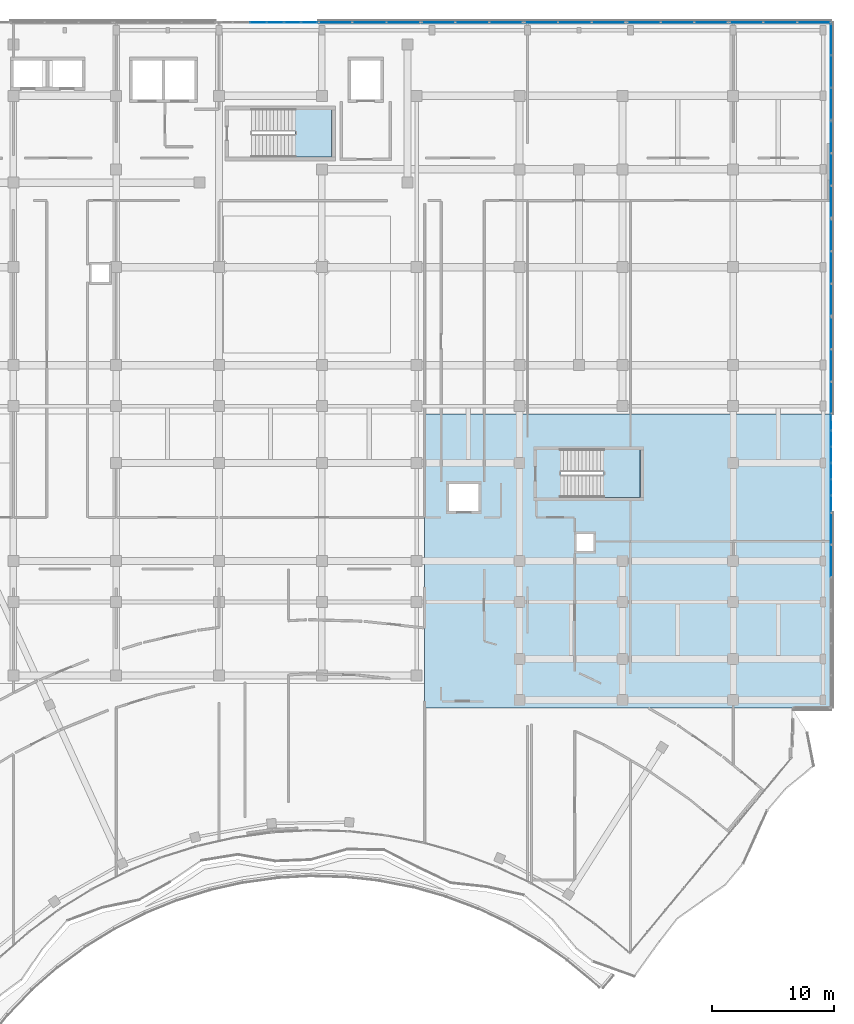
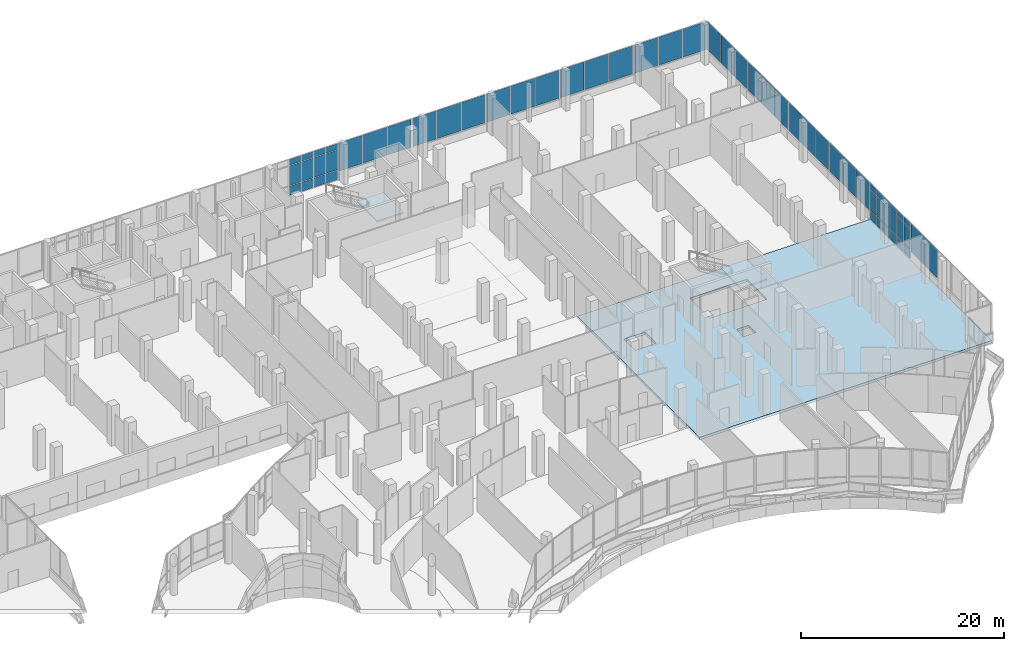
# One storey, part 137 of 168: 59 plates, 3 slabs, 14 elements without a shape of their own.
"""IFC4 building model written with IfcOpenShell, lengths in metres."""

from ifc_helpers import new_model, si_unit, direction, frame, origin, origin_2d, place, context, subcontext, project, spatial, polyline, rectangle, outline, extrude, material, layer, layer_set, type_object, element, aggregate, save


model = new_model("IFC4")

# Units and contexts
model_context = context("Model", 3, precision=1e-05, world=origin(), true_north=direction((0.0, 1.0)))
body_context = subcontext(model_context, "Body", "Model", "MODEL_VIEW")
ifc_project = project(units=[si_unit("LENGTHUNIT", "METRE"), si_unit("AREAUNIT", "SQUARE_METRE"), si_unit("VOLUMEUNIT", "CUBIC_METRE"), si_unit("PLANEANGLEUNIT", "RADIAN"), si_unit("MASSUNIT", "GRAM", prefix="KILO")], contexts=[model_context])

# Site, building, storey
site_placement = place(None, origin())
site = spatial("IfcSite", under=ifc_project, at=site_placement, CompositionType="ELEMENT")
building_placement = place(site_placement, origin())
building = spatial("IfcBuilding", under=site, at=building_placement, Name="Selatvlak General Hospital", CompositionType="ELEMENT")
storey_placement = place(building_placement, frame((0.0, 0.0, 5.39990234375)))
storey = spatial("IfcBuildingStorey", under=building, at=storey_placement, Name="L01", CompositionType="ELEMENT", Elevation=5.39990234375)

# Curtain wall, plates
ifc_material_1 = material(Name="Solar-control Low-E double glazing", Category="glass")
curtain_wall_type_1 = type_object("IfcCurtainWallType", Name="CW-CW-04", PredefinedType="USERDEFINED", material=ifc_material_1)
curtain_wall_1_placement = place(storey_placement, origin())
curtain_wall_1 = element("IfcCurtainWall", 1, at=curtain_wall_1_placement, inside=storey, type_object=curtain_wall_type_1, Name="Glazed facade curtain wall CW-L01-0126", ObjectType="STICK GLAZING WALL", PredefinedType="USERDEFINED")
ifc_layer_1 = layer(ifc_material_1, 0.028076171875, Name="Solar-control Low-E double glazing", Category="glass")
ifc_layer_set_1 = layer_set([ifc_layer_1], Name="Solar-control Low-E double glazing")
plate_type = type_object("IfcPlateType", Name="CWP-01", PredefinedType="CURTAIN_PANEL", material=ifc_layer_set_1)
plate_1_placement = place(storey_placement, frame((135.213134765625, 120.0, 0.065185546875), z_axis=(0.0, 0.0, 1.0), x_axis=(1.0, 0.0, 0.0)))
plate_1 = element("IfcPlate", 2, at=plate_1_placement, type_object=plate_type, Name="CW-04 panel 3.1", PredefinedType="CURTAIN_PANEL", context=body_context, shape_type="SweptSolid", body=[
    extrude(rectangle(XDim=1.32666015625, YDim=0.028076171875, at=origin_2d()), origin(), (0.0, 0.0, 1.0), 1.1025390625),
])
plate_2_placement = place(storey_placement, frame((135.213134765625, 120.0, 1.232666015625), z_axis=(0.0, 0.0, 1.0), x_axis=(1.0, 0.0, 0.0)))
plate_2 = element("IfcPlate", 3, at=plate_2_placement, type_object=plate_type, Name="CW-04 panel 3.2", PredefinedType="CURTAIN_PANEL", context=body_context, shape_type="SweptSolid", body=[
    extrude(rectangle(XDim=1.32666015625, YDim=0.028076171875, at=origin_2d()), origin(), (0.0, 0.0, 1.0), 2.3798828125),
])
plate_3_placement = place(storey_placement, frame((135.213134765625, 120.0, 3.677734375), z_axis=(0.0, 0.0, 1.0), x_axis=(1.0, 0.0, 0.0)))
plate_3 = element("IfcPlate", 4, at=plate_3_placement, type_object=plate_type, Name="CW-04 panel 3.3", PredefinedType="CURTAIN_PANEL", context=body_context, shape_type="SweptSolid", body=[
    extrude(rectangle(XDim=1.32666015625, YDim=0.028076171875, at=origin_2d()), origin(), (0.0, 0.0, 1.0), 0.702392578125),
])
plate_4_placement = place(storey_placement, frame((136.604736328125, 120.0, 0.065185546875), z_axis=(0.0, 0.0, 1.0), x_axis=(1.0, 0.0, 0.0)))
plate_4 = element("IfcPlate", 5, at=plate_4_placement, type_object=plate_type, Name="CW-04 panel 4.1", PredefinedType="CURTAIN_PANEL", context=body_context, shape_type="SweptSolid", body=[
    extrude(rectangle(XDim=1.32666015625, YDim=0.028076171875, at=origin_2d()), origin(), (0.0, 0.0, 1.0), 1.1025390625),
])
plate_5_placement = place(storey_placement, frame((136.604736328125, 120.0, 1.232666015625), z_axis=(0.0, 0.0, 1.0), x_axis=(1.0, 0.0, 0.0)))
plate_5 = element("IfcPlate", 6, at=plate_5_placement, type_object=plate_type, Name="CW-04 panel 4.2", PredefinedType="CURTAIN_PANEL", context=body_context, shape_type="SweptSolid", body=[
    extrude(rectangle(XDim=1.32666015625, YDim=0.028076171875, at=origin_2d()), origin(), (0.0, 0.0, 1.0), 2.3798828125),
])
plate_6_placement = place(storey_placement, frame((136.604736328125, 120.0, 3.677734375), z_axis=(0.0, 0.0, 1.0), x_axis=(1.0, 0.0, 0.0)))
plate_6 = element("IfcPlate", 7, at=plate_6_placement, type_object=plate_type, Name="CW-04 panel 4.3", PredefinedType="CURTAIN_PANEL", context=body_context, shape_type="SweptSolid", body=[
    extrude(rectangle(XDim=1.32666015625, YDim=0.028076171875, at=origin_2d()), origin(), (0.0, 0.0, 1.0), 0.702392578125),
])
plate_7_placement = place(storey_placement, frame((137.99658203125, 120.0, 0.065185546875), z_axis=(0.0, 0.0, 1.0), x_axis=(1.0, 0.0, 0.0)))
plate_7 = element("IfcPlate", 8, at=plate_7_placement, type_object=plate_type, Name="CW-04 panel 5.1", PredefinedType="CURTAIN_PANEL", context=body_context, shape_type="SweptSolid", body=[
    extrude(rectangle(XDim=1.32666015625, YDim=0.028076171875, at=origin_2d()), origin(), (0.0, 0.0, 1.0), 1.1025390625),
])
plate_8_placement = place(storey_placement, frame((137.99658203125, 120.0, 1.232666015625), z_axis=(0.0, 0.0, 1.0), x_axis=(1.0, 0.0, 0.0)))
plate_8 = element("IfcPlate", 9, at=plate_8_placement, type_object=plate_type, Name="CW-04 panel 5.2", PredefinedType="CURTAIN_PANEL", context=body_context, shape_type="SweptSolid", body=[
    extrude(rectangle(XDim=1.32666015625, YDim=0.028076171875, at=origin_2d()), origin(), (0.0, 0.0, 1.0), 2.3798828125),
])
plate_9_placement = place(storey_placement, frame((137.99658203125, 120.0, 3.677734375), z_axis=(0.0, 0.0, 1.0), x_axis=(1.0, 0.0, 0.0)))
plate_9 = element("IfcPlate", 10, at=plate_9_placement, type_object=plate_type, Name="CW-04 panel 5.3", PredefinedType="CURTAIN_PANEL", context=body_context, shape_type="SweptSolid", body=[
    extrude(rectangle(XDim=1.32666015625, YDim=0.028076171875, at=origin_2d()), origin(), (0.0, 0.0, 1.0), 0.702392578125),
])
plate_10_placement = place(storey_placement, frame((139.371826171875, 120.0, 0.065185546875), z_axis=(0.0, 0.0, 1.0), x_axis=(1.0, 0.0, 0.0)))
plate_10 = element("IfcPlate", 11, at=plate_10_placement, type_object=plate_type, Name="CW-04 panel 6.1", PredefinedType="CURTAIN_PANEL", context=body_context, shape_type="SweptSolid", body=[
    extrude(rectangle(XDim=1.294189453125, YDim=0.028076171875, at=origin_2d()), origin(), (0.0, 0.0, 1.0), 1.1025390625),
])
plate_11_placement = place(storey_placement, frame((139.371826171875, 120.0, 1.232666015625), z_axis=(0.0, 0.0, 1.0), x_axis=(1.0, 0.0, 0.0)))
plate_11 = element("IfcPlate", 12, at=plate_11_placement, type_object=plate_type, Name="CW-04 panel 6.2", PredefinedType="CURTAIN_PANEL", context=body_context, shape_type="SweptSolid", body=[
    extrude(rectangle(XDim=1.294189453125, YDim=0.028076171875, at=origin_2d()), origin(), (0.0, 0.0, 1.0), 2.3798828125),
])
plate_12_placement = place(storey_placement, frame((139.371826171875, 120.0, 3.677734375), z_axis=(0.0, 0.0, 1.0), x_axis=(1.0, 0.0, 0.0)))
plate_12 = element("IfcPlate", 13, at=plate_12_placement, type_object=plate_type, Name="CW-04 panel 6.3", PredefinedType="CURTAIN_PANEL", context=body_context, shape_type="SweptSolid", body=[
    extrude(rectangle(XDim=1.294189453125, YDim=0.028076171875, at=origin_2d()), origin(), (0.0, 0.0, 1.0), 0.702392578125),
])
aggregate(curtain_wall_1, [plate_1, plate_2, plate_3, plate_4, plate_5, plate_6, plate_7, plate_8, plate_9, plate_10, plate_11, plate_12])

curtain_wall_type_2 = type_object("IfcCurtainWallType", Name="CW-CW-02", PredefinedType="USERDEFINED", material=ifc_material_1)
curtain_wall_2_placement = place(storey_placement, origin())
curtain_wall_2 = element("IfcCurtainWall", 14, at=curtain_wall_2_placement, inside=storey, type_object=curtain_wall_type_2, Name="Glazed facade curtain wall CW-L01-0127", ObjectType="UNITISED CURTAIN WALL", PredefinedType="USERDEFINED")
plate_13_placement = place(storey_placement, frame((141.52197265625, 120.0, 1.005126953125), z_axis=(0.0, 0.0, 1.0), x_axis=(1.0, 0.0, 0.0)))
plate_13 = element("IfcPlate", 15, at=plate_13_placement, type_object=plate_type, Name="CW-02 panel 1.1", PredefinedType="CURTAIN_PANEL", context=body_context, shape_type="SweptSolid", body=[
    extrude(rectangle(XDim=2.685791015625, YDim=0.028076171875, at=origin_2d()), origin(), (0.0, 0.0, 1.0), 3.375),
])
plate_14_placement = place(storey_placement, frame((144.2890625, 120.0, 1.005126953125), z_axis=(0.0, 0.0, 1.0), x_axis=(1.0, 0.0, 0.0)))
plate_14 = element("IfcPlate", 16, at=plate_14_placement, type_object=plate_type, Name="CW-02 panel 2.1", PredefinedType="CURTAIN_PANEL", context=body_context, shape_type="SweptSolid", body=[
    extrude(rectangle(XDim=2.71826171875, YDim=0.028076171875, at=origin_2d()), origin(), (0.0, 0.0, 1.0), 3.375),
])
plate_15_placement = place(storey_placement, frame((147.05615234375, 120.0, 1.005126953125), z_axis=(0.0, 0.0, 1.0), x_axis=(1.0, 0.0, 0.0)))
plate_15 = element("IfcPlate", 17, at=plate_15_placement, type_object=plate_type, Name="CW-02 panel 3.1", PredefinedType="CURTAIN_PANEL", context=body_context, shape_type="SweptSolid", body=[
    extrude(rectangle(XDim=2.685791015625, YDim=0.028076171875, at=origin_2d()), origin(), (0.0, 0.0, 1.0), 3.375),
])
aggregate(curtain_wall_2, [plate_13, plate_14, plate_15])

curtain_wall_type_3 = type_object("IfcCurtainWallType", Name="CW-CW-01", PredefinedType="USERDEFINED", material=ifc_material_1)
curtain_wall_3_placement = place(storey_placement, origin())
curtain_wall_3 = element("IfcCurtainWall", 18, at=curtain_wall_3_placement, inside=storey, type_object=curtain_wall_type_3, Name="Glazed facade curtain wall CW-L01-0128", ObjectType="UNITISED CURTAIN WALL", PredefinedType="USERDEFINED")
plate_16_placement = place(storey_placement, frame((149.943603515625, 120.0, 1.005126953125), z_axis=(0.0, 0.0, 1.0), x_axis=(1.0, 0.0, 0.0)))
plate_16 = element("IfcPlate", 19, at=plate_16_placement, type_object=plate_type, Name="CW-01 panel 1.1", PredefinedType="CURTAIN_PANEL", context=body_context, shape_type="SweptSolid", body=[
    extrude(rectangle(XDim=2.669189453125, YDim=0.028076171875, at=origin_2d()), origin(), (0.0, 0.0, 1.0), 3.375),
])
plate_17_placement = place(storey_placement, frame((152.694091796875, 120.0, 1.005126953125), z_axis=(0.0, 0.0, 1.0), x_axis=(1.0, 0.0, 0.0)))
plate_17 = element("IfcPlate", 20, at=plate_17_placement, type_object=plate_type, Name="CW-01 panel 2.1", PredefinedType="CURTAIN_PANEL", context=body_context, shape_type="SweptSolid", body=[
    extrude(rectangle(XDim=2.70166015625, YDim=0.028076171875, at=origin_2d()), origin(), (0.0, 0.0, 1.0), 3.375),
])
plate_18_placement = place(storey_placement, frame((155.4443359375, 120.0, 1.005126953125), z_axis=(0.0, 0.0, 1.0), x_axis=(1.0, 0.0, 0.0)))
plate_18 = element("IfcPlate", 21, at=plate_18_placement, type_object=plate_type, Name="CW-01 panel 3.1", PredefinedType="CURTAIN_PANEL", context=body_context, shape_type="SweptSolid", body=[
    extrude(rectangle(XDim=2.669189453125, YDim=0.028076171875, at=origin_2d()), origin(), (0.0, 0.0, 1.0), 3.375),
])
aggregate(curtain_wall_3, [plate_16, plate_17, plate_18])

curtain_wall_4_placement = place(storey_placement, origin())
curtain_wall_4 = element("IfcCurtainWall", 22, at=curtain_wall_4_placement, inside=storey, type_object=curtain_wall_type_2, Name="Glazed facade curtain wall CW-L01-0129", ObjectType="UNITISED CURTAIN WALL", PredefinedType="USERDEFINED")
plate_19_placement = place(storey_placement, frame((158.323486328125, 120.0, 1.005126953125), z_axis=(0.0, 0.0, 1.0), x_axis=(1.0, 0.0, 0.0)))
plate_19 = element("IfcPlate", 23, at=plate_19_placement, type_object=plate_type, Name="CW-02 panel 1.1", PredefinedType="CURTAIN_PANEL", context=body_context, shape_type="SweptSolid", body=[
    extrude(rectangle(XDim=2.669189453125, YDim=0.028076171875, at=origin_2d()), origin(), (0.0, 0.0, 1.0), 3.375),
])
plate_20_placement = place(storey_placement, frame((161.073974609375, 120.0, 1.005126953125), z_axis=(0.0, 0.0, 1.0), x_axis=(1.0, 0.0, 0.0)))
plate_20 = element("IfcPlate", 24, at=plate_20_placement, type_object=plate_type, Name="CW-02 panel 2.1", PredefinedType="CURTAIN_PANEL", context=body_context, shape_type="SweptSolid", body=[
    extrude(rectangle(XDim=2.70166015625, YDim=0.028076171875, at=origin_2d()), origin(), (0.0, 0.0, 1.0), 3.375),
])
plate_21_placement = place(storey_placement, frame((163.824462890625, 120.0, 1.005126953125), z_axis=(0.0, 0.0, 1.0), x_axis=(1.0, 0.0, 0.0)))
plate_21 = element("IfcPlate", 25, at=plate_21_placement, type_object=plate_type, Name="CW-02 panel 3.1", PredefinedType="CURTAIN_PANEL", context=body_context, shape_type="SweptSolid", body=[
    extrude(rectangle(XDim=2.669189453125, YDim=0.028076171875, at=origin_2d()), origin(), (0.0, 0.0, 1.0), 3.375),
])
aggregate(curtain_wall_4, [plate_19, plate_20, plate_21])

curtain_wall_5_placement = place(storey_placement, origin())
curtain_wall_5 = element("IfcCurtainWall", 26, at=curtain_wall_5_placement, inside=storey, type_object=curtain_wall_type_3, Name="Glazed facade curtain wall CW-L01-0130", ObjectType="UNITISED CURTAIN WALL", PredefinedType="USERDEFINED")
plate_22_placement = place(storey_placement, frame((166.70361328125, 120.0, 1.005126953125), z_axis=(0.0, 0.0, 1.0), x_axis=(1.0, 0.0, 0.0)))
plate_22 = element("IfcPlate", 27, at=plate_22_placement, type_object=plate_type, Name="CW-01 panel 1.1", PredefinedType="CURTAIN_PANEL", context=body_context, shape_type="SweptSolid", body=[
    extrude(rectangle(XDim=2.669189453125, YDim=0.028076171875, at=origin_2d()), origin(), (0.0, 0.0, 1.0), 3.375),
])
plate_23_placement = place(storey_placement, frame((169.4541015625, 120.0, 1.005126953125), z_axis=(0.0, 0.0, 1.0), x_axis=(1.0, 0.0, 0.0)))
plate_23 = element("IfcPlate", 28, at=plate_23_placement, type_object=plate_type, Name="CW-01 panel 2.1", PredefinedType="CURTAIN_PANEL", context=body_context, shape_type="SweptSolid", body=[
    extrude(rectangle(XDim=2.70166015625, YDim=0.028076171875, at=origin_2d()), origin(), (0.0, 0.0, 1.0), 3.375),
])
plate_24_placement = place(storey_placement, frame((172.204345703125, 120.0, 1.005126953125), z_axis=(0.0, 0.0, 1.0), x_axis=(1.0, 0.0, 0.0)))
plate_24 = element("IfcPlate", 29, at=plate_24_placement, type_object=plate_type, Name="CW-01 panel 3.1", PredefinedType="CURTAIN_PANEL", context=body_context, shape_type="SweptSolid", body=[
    extrude(rectangle(XDim=2.669189453125, YDim=0.028076171875, at=origin_2d()), origin(), (0.0, 0.0, 1.0), 3.375),
])
aggregate(curtain_wall_5, [plate_22, plate_23, plate_24])

curtain_wall_6_placement = place(storey_placement, origin())
curtain_wall_6 = element("IfcCurtainWall", 30, at=curtain_wall_6_placement, inside=storey, type_object=curtain_wall_type_2, Name="Glazed facade curtain wall CW-L01-0131", ObjectType="UNITISED CURTAIN WALL", PredefinedType="USERDEFINED")
plate_25_placement = place(storey_placement, frame((175.08349609375, 120.0, 1.005126953125), z_axis=(0.0, 0.0, 1.0), x_axis=(1.0, 0.0, 0.0)))
plate_25 = element("IfcPlate", 31, at=plate_25_placement, type_object=plate_type, Name="CW-02 panel 1.1", PredefinedType="CURTAIN_PANEL", context=body_context, shape_type="SweptSolid", body=[
    extrude(rectangle(XDim=2.669189453125, YDim=0.028076171875, at=origin_2d()), origin(), (0.0, 0.0, 1.0), 3.375),
])
plate_26_placement = place(storey_placement, frame((177.833984375, 120.0, 1.005126953125), z_axis=(0.0, 0.0, 1.0), x_axis=(1.0, 0.0, 0.0)))
plate_26 = element("IfcPlate", 32, at=plate_26_placement, type_object=plate_type, Name="CW-02 panel 2.1", PredefinedType="CURTAIN_PANEL", context=body_context, shape_type="SweptSolid", body=[
    extrude(rectangle(XDim=2.70166015625, YDim=0.028076171875, at=origin_2d()), origin(), (0.0, 0.0, 1.0), 3.375),
])
plate_27_placement = place(storey_placement, frame((180.58447265625, 120.0, 1.005126953125), z_axis=(0.0, 0.0, 1.0), x_axis=(1.0, 0.0, 0.0)))
plate_27 = element("IfcPlate", 33, at=plate_27_placement, type_object=plate_type, Name="CW-02 panel 3.1", PredefinedType="CURTAIN_PANEL", context=body_context, shape_type="SweptSolid", body=[
    extrude(rectangle(XDim=2.669189453125, YDim=0.028076171875, at=origin_2d()), origin(), (0.0, 0.0, 1.0), 3.375),
])
aggregate(curtain_wall_6, [plate_25, plate_26, plate_27])

curtain_wall_7_placement = place(storey_placement, origin())
curtain_wall_7 = element("IfcCurtainWall", 34, at=curtain_wall_7_placement, inside=storey, type_object=curtain_wall_type_3, Name="Glazed facade curtain wall CW-L01-0132", ObjectType="UNITISED CURTAIN WALL", PredefinedType="USERDEFINED")
plate_28_placement = place(storey_placement, frame((181.9990234375, 118.5986328125, 1.005126953125), z_axis=(0.0, 0.0, 1.0), x_axis=(0.0, -1.0, 0.0)))
plate_28 = element("IfcPlate", 35, at=plate_28_placement, type_object=plate_type, Name="CW-01 panel 1.1", PredefinedType="CURTAIN_PANEL", context=body_context, shape_type="SweptSolid", body=[
    extrude(rectangle(XDim=2.54248046875, YDim=0.028076171875, at=origin_2d()), origin(), (0.0, 0.0, 1.0), 3.375),
])
plate_29_placement = place(storey_placement, frame((181.9990234375, 115.97509765625, 1.005126953125), z_axis=(0.0, 0.0, 1.0), x_axis=(0.0, -1.0, 0.0)))
plate_29 = element("IfcPlate", 36, at=plate_29_placement, type_object=plate_type, Name="CW-01 panel 2.1", PredefinedType="CURTAIN_PANEL", context=body_context, shape_type="SweptSolid", body=[
    extrude(rectangle(XDim=2.574951171875, YDim=0.028076171875, at=origin_2d()), origin(), (0.0, 0.0, 1.0), 3.375),
])
plate_30_placement = place(storey_placement, frame((181.9990234375, 113.351318359375, 1.005126953125), z_axis=(0.0, 0.0, 1.0), x_axis=(0.0, -1.0, 0.0)))
plate_30 = element("IfcPlate", 37, at=plate_30_placement, type_object=plate_type, Name="CW-01 panel 3.1", PredefinedType="CURTAIN_PANEL", context=body_context, shape_type="SweptSolid", body=[
    extrude(rectangle(XDim=2.54248046875, YDim=0.028076171875, at=origin_2d()), origin(), (0.0, 0.0, 1.0), 3.375),
])
aggregate(curtain_wall_7, [plate_28, plate_29, plate_30])

curtain_wall_8_placement = place(storey_placement, origin())
curtain_wall_8 = element("IfcCurtainWall", 38, at=curtain_wall_8_placement, inside=storey, type_object=curtain_wall_type_2, Name="Glazed facade curtain wall CW-L01-0133", ObjectType="UNITISED CURTAIN WALL", PredefinedType="USERDEFINED")
plate_31_placement = place(storey_placement, frame((181.999267578125, 110.598876953125, 1.005126953125), z_axis=(0.0, 0.0, 1.0), x_axis=(0.000126278568, -0.999999992027, 0.0)))
plate_31 = element("IfcPlate", 39, at=plate_31_placement, type_object=plate_type, Name="CW-02 panel 1.1", PredefinedType="CURTAIN_PANEL", context=body_context, shape_type="SweptSolid", body=[
    extrude(rectangle(XDim=2.542236328125, YDim=0.028076171875, at=origin_2d()), origin(), (0.0, 0.0, 1.0), 3.375),
])
plate_32_placement = place(storey_placement, frame((181.99951171875, 107.9755859375, 1.005126953125), z_axis=(0.0, 0.0, 1.0), x_axis=(0.000126278568, -0.999999992027, 0.0)))
plate_32 = element("IfcPlate", 40, at=plate_32_placement, type_object=plate_type, Name="CW-02 panel 2.1", PredefinedType="CURTAIN_PANEL", context=body_context, shape_type="SweptSolid", body=[
    extrude(rectangle(XDim=2.57470703125, YDim=0.028076171875, at=origin_2d()), origin(), (0.0, 0.0, 1.0), 3.375),
])
plate_33_placement = place(storey_placement, frame((181.999755859375, 105.35205078125, 1.005126953125), z_axis=(0.0, 0.0, 1.0), x_axis=(0.000126278568, -0.999999992027, 0.0)))
plate_33 = element("IfcPlate", 41, at=plate_33_placement, type_object=plate_type, Name="CW-02 panel 3.1", PredefinedType="CURTAIN_PANEL", context=body_context, shape_type="SweptSolid", body=[
    extrude(rectangle(XDim=2.542236328125, YDim=0.028076171875, at=origin_2d()), origin(), (0.0, 0.0, 1.0), 3.375),
])
aggregate(curtain_wall_8, [plate_31, plate_32, plate_33])

curtain_wall_9_placement = place(storey_placement, origin())
curtain_wall_9 = element("IfcCurtainWall", 42, at=curtain_wall_9_placement, inside=storey, type_object=curtain_wall_type_3, Name="Glazed facade curtain wall CW-L01-0134", ObjectType="UNITISED CURTAIN WALL", PredefinedType="USERDEFINED")
plate_34_placement = place(storey_placement, frame((182.0, 102.599853515625, 1.005126953125), z_axis=(0.0, 0.0, 1.0), x_axis=(0.0, -1.0, 0.0)))
plate_34 = element("IfcPlate", 43, at=plate_34_placement, type_object=plate_type, Name="CW-01 panel 1.1", PredefinedType="CURTAIN_PANEL", context=body_context, shape_type="SweptSolid", body=[
    extrude(rectangle(XDim=2.54248046875, YDim=0.028076171875, at=origin_2d()), origin(), (0.0, 0.0, 1.0), 3.375),
])
plate_35_placement = place(storey_placement, frame((182.0, 99.97607421875, 1.005126953125), z_axis=(0.0, 0.0, 1.0), x_axis=(0.0, -1.0, 0.0)))
plate_35 = element("IfcPlate", 44, at=plate_35_placement, type_object=plate_type, Name="CW-01 panel 2.1", PredefinedType="CURTAIN_PANEL", context=body_context, shape_type="SweptSolid", body=[
    extrude(rectangle(XDim=2.574951171875, YDim=0.028076171875, at=origin_2d()), origin(), (0.0, 0.0, 1.0), 3.375),
])
plate_36_placement = place(storey_placement, frame((182.0, 97.352294921875, 1.005126953125), z_axis=(0.0, 0.0, 1.0), x_axis=(0.0, -1.0, 0.0)))
plate_36 = element("IfcPlate", 45, at=plate_36_placement, type_object=plate_type, Name="CW-01 panel 3.1", PredefinedType="CURTAIN_PANEL", context=body_context, shape_type="SweptSolid", body=[
    extrude(rectangle(XDim=2.54248046875, YDim=0.028076171875, at=origin_2d()), origin(), (0.0, 0.0, 1.0), 3.375),
])
aggregate(curtain_wall_9, [plate_34, plate_35, plate_36])

curtain_wall_10_placement = place(storey_placement, origin())
curtain_wall_10 = element("IfcCurtainWall", 46, at=curtain_wall_10_placement, inside=storey, type_object=curtain_wall_type_2, Name="Glazed facade curtain wall CW-L01-0135", ObjectType="UNITISED CURTAIN WALL", PredefinedType="USERDEFINED")
plate_37_placement = place(storey_placement, frame((182.0, 94.599853515625, 1.005126953125), z_axis=(0.0, 0.0, 1.0), x_axis=(0.0, -1.0, 0.0)))
plate_37 = element("IfcPlate", 47, at=plate_37_placement, type_object=plate_type, Name="CW-02 panel 1.1", PredefinedType="CURTAIN_PANEL", context=body_context, shape_type="SweptSolid", body=[
    extrude(rectangle(XDim=2.54248046875, YDim=0.028076171875, at=origin_2d()), origin(), (0.0, 0.0, 1.0), 3.375),
])
plate_38_placement = place(storey_placement, frame((182.0, 91.97607421875, 1.005126953125), z_axis=(0.0, 0.0, 1.0), x_axis=(0.0, -1.0, 0.0)))
plate_38 = element("IfcPlate", 48, at=plate_38_placement, type_object=plate_type, Name="CW-02 panel 2.1", PredefinedType="CURTAIN_PANEL", context=body_context, shape_type="SweptSolid", body=[
    extrude(rectangle(XDim=2.574951171875, YDim=0.028076171875, at=origin_2d()), origin(), (0.0, 0.0, 1.0), 3.375),
])
plate_39_placement = place(storey_placement, frame((182.0, 89.352294921875, 1.005126953125), z_axis=(0.0, 0.0, 1.0), x_axis=(0.0, -1.0, 0.0)))
plate_39 = element("IfcPlate", 49, at=plate_39_placement, type_object=plate_type, Name="CW-02 panel 3.1", PredefinedType="CURTAIN_PANEL", context=body_context, shape_type="SweptSolid", body=[
    extrude(rectangle(XDim=2.54248046875, YDim=0.028076171875, at=origin_2d()), origin(), (0.0, 0.0, 1.0), 3.375),
])
aggregate(curtain_wall_10, [plate_37, plate_38, plate_39])

curtain_wall_11_placement = place(storey_placement, origin())
curtain_wall_11 = element("IfcCurtainWall", 50, at=curtain_wall_11_placement, inside=storey, type_object=curtain_wall_type_1, Name="Glazed facade curtain wall CW-L01-0136", ObjectType="STICK GLAZING WALL", PredefinedType="USERDEFINED")
plate_40_placement = place(storey_placement, frame((182.0, 87.3056640625, 0.065185546875), z_axis=(0.0, 0.0, 1.0), x_axis=(0.0, -1.0, 0.0)))
plate_40 = element("IfcPlate", 51, at=plate_40_placement, type_object=plate_type, Name="CW-04 panel 1.1", PredefinedType="CURTAIN_PANEL", context=body_context, shape_type="SweptSolid", body=[
    extrude(rectangle(XDim=1.230712890625, YDim=0.028076171875, at=origin_2d()), origin(), (0.0, 0.0, 1.0), 1.1025390625),
])
plate_41_placement = place(storey_placement, frame((182.0, 87.3056640625, 1.232666015625), z_axis=(0.0, 0.0, 1.0), x_axis=(0.0, -1.0, 0.0)))
plate_41 = element("IfcPlate", 52, at=plate_41_placement, type_object=plate_type, Name="CW-04 panel 1.2", PredefinedType="CURTAIN_PANEL", context=body_context, shape_type="SweptSolid", body=[
    extrude(rectangle(XDim=1.230712890625, YDim=0.028076171875, at=origin_2d()), origin(), (0.0, 0.0, 1.0), 2.3798828125),
])
plate_42_placement = place(storey_placement, frame((182.0, 87.3056640625, 3.677734375), z_axis=(0.0, 0.0, 1.0), x_axis=(0.0, -1.0, 0.0)))
plate_42 = element("IfcPlate", 53, at=plate_42_placement, type_object=plate_type, Name="CW-04 panel 1.3", PredefinedType="CURTAIN_PANEL", context=body_context, shape_type="SweptSolid", body=[
    extrude(rectangle(XDim=1.230712890625, YDim=0.028076171875, at=origin_2d()), origin(), (0.0, 0.0, 1.0), 0.702392578125),
])
plate_43_placement = place(storey_placement, frame((182.0, 85.993408203125, 0.065185546875), z_axis=(0.0, 0.0, 1.0), x_axis=(0.0, -1.0, 0.0)))
plate_43 = element("IfcPlate", 54, at=plate_43_placement, type_object=plate_type, Name="CW-04 panel 2.1", PredefinedType="CURTAIN_PANEL", context=body_context, shape_type="SweptSolid", body=[
    extrude(rectangle(XDim=1.263427734375, YDim=0.028076171875, at=origin_2d()), origin(), (0.0, 0.0, 1.0), 1.1025390625),
])
plate_44_placement = place(storey_placement, frame((182.0, 85.993408203125, 1.232666015625), z_axis=(0.0, 0.0, 1.0), x_axis=(0.0, -1.0, 0.0)))
plate_44 = element("IfcPlate", 55, at=plate_44_placement, type_object=plate_type, Name="CW-04 panel 2.2", PredefinedType="CURTAIN_PANEL", context=body_context, shape_type="SweptSolid", body=[
    extrude(rectangle(XDim=1.263427734375, YDim=0.028076171875, at=origin_2d()), origin(), (0.0, 0.0, 1.0), 2.3798828125),
])
plate_45_placement = place(storey_placement, frame((182.0, 85.993408203125, 3.677734375), z_axis=(0.0, 0.0, 1.0), x_axis=(0.0, -1.0, 0.0)))
plate_45 = element("IfcPlate", 56, at=plate_45_placement, type_object=plate_type, Name="CW-04 panel 2.3", PredefinedType="CURTAIN_PANEL", context=body_context, shape_type="SweptSolid", body=[
    extrude(rectangle(XDim=1.263427734375, YDim=0.028076171875, at=origin_2d()), origin(), (0.0, 0.0, 1.0), 0.702392578125),
])
plate_46_placement = place(storey_placement, frame((182.0, 84.665283203125, 0.065185546875), z_axis=(0.0, 0.0, 1.0), x_axis=(0.0, -1.0, 0.0)))
plate_46 = element("IfcPlate", 57, at=plate_46_placement, type_object=plate_type, Name="CW-04 panel 3.1", PredefinedType="CURTAIN_PANEL", context=body_context, shape_type="SweptSolid", body=[
    extrude(rectangle(XDim=1.263427734375, YDim=0.028076171875, at=origin_2d()), origin(), (0.0, 0.0, 1.0), 1.1025390625),
])
plate_47_placement = place(storey_placement, frame((182.0, 84.665283203125, 1.232666015625), z_axis=(0.0, 0.0, 1.0), x_axis=(0.0, -1.0, 0.0)))
plate_47 = element("IfcPlate", 58, at=plate_47_placement, type_object=plate_type, Name="CW-04 panel 3.2", PredefinedType="CURTAIN_PANEL", context=body_context, shape_type="SweptSolid", body=[
    extrude(rectangle(XDim=1.263427734375, YDim=0.028076171875, at=origin_2d()), origin(), (0.0, 0.0, 1.0), 2.3798828125),
])
plate_48_placement = place(storey_placement, frame((182.0, 84.665283203125, 3.677734375), z_axis=(0.0, 0.0, 1.0), x_axis=(0.0, -1.0, 0.0)))
plate_48 = element("IfcPlate", 59, at=plate_48_placement, type_object=plate_type, Name="CW-04 panel 3.3", PredefinedType="CURTAIN_PANEL", context=body_context, shape_type="SweptSolid", body=[
    extrude(rectangle(XDim=1.263427734375, YDim=0.028076171875, at=origin_2d()), origin(), (0.0, 0.0, 1.0), 0.702392578125),
])
plate_49_placement = place(storey_placement, frame((182.0, 83.3369140625, 0.065185546875), z_axis=(0.0, 0.0, 1.0), x_axis=(0.0, -1.0, 0.0)))
plate_49 = element("IfcPlate", 60, at=plate_49_placement, type_object=plate_type, Name="CW-04 panel 4.1", PredefinedType="CURTAIN_PANEL", context=body_context, shape_type="SweptSolid", body=[
    extrude(rectangle(XDim=1.263427734375, YDim=0.028076171875, at=origin_2d()), origin(), (0.0, 0.0, 1.0), 1.1025390625),
])
plate_50_placement = place(storey_placement, frame((182.0, 83.3369140625, 1.232666015625), z_axis=(0.0, 0.0, 1.0), x_axis=(0.0, -1.0, 0.0)))
plate_50 = element("IfcPlate", 61, at=plate_50_placement, type_object=plate_type, Name="CW-04 panel 4.2", PredefinedType="CURTAIN_PANEL", context=body_context, shape_type="SweptSolid", body=[
    extrude(rectangle(XDim=1.263427734375, YDim=0.028076171875, at=origin_2d()), origin(), (0.0, 0.0, 1.0), 2.3798828125),
])
plate_51_placement = place(storey_placement, frame((182.0, 83.3369140625, 3.677734375), z_axis=(0.0, 0.0, 1.0), x_axis=(0.0, -1.0, 0.0)))
plate_51 = element("IfcPlate", 62, at=plate_51_placement, type_object=plate_type, Name="CW-04 panel 4.3", PredefinedType="CURTAIN_PANEL", context=body_context, shape_type="SweptSolid", body=[
    extrude(rectangle(XDim=1.263427734375, YDim=0.028076171875, at=origin_2d()), origin(), (0.0, 0.0, 1.0), 0.702392578125),
])
plate_52_placement = place(storey_placement, frame((182.0, 82.008544921875, 0.065185546875), z_axis=(0.0, 0.0, 1.0), x_axis=(0.0, -1.0, 0.0)))
plate_52 = element("IfcPlate", 63, at=plate_52_placement, type_object=plate_type, Name="CW-04 panel 5.1", PredefinedType="CURTAIN_PANEL", context=body_context, shape_type="SweptSolid", body=[
    extrude(rectangle(XDim=1.263427734375, YDim=0.028076171875, at=origin_2d()), origin(), (0.0, 0.0, 1.0), 1.1025390625),
])
plate_53_placement = place(storey_placement, frame((182.0, 82.008544921875, 1.232666015625), z_axis=(0.0, 0.0, 1.0), x_axis=(0.0, -1.0, 0.0)))
plate_53 = element("IfcPlate", 64, at=plate_53_placement, type_object=plate_type, Name="CW-04 panel 5.2", PredefinedType="CURTAIN_PANEL", context=body_context, shape_type="SweptSolid", body=[
    extrude(rectangle(XDim=1.263427734375, YDim=0.028076171875, at=origin_2d()), origin(), (0.0, 0.0, 1.0), 2.3798828125),
])
plate_54_placement = place(storey_placement, frame((182.0, 82.008544921875, 3.677734375), z_axis=(0.0, 0.0, 1.0), x_axis=(0.0, -1.0, 0.0)))
plate_54 = element("IfcPlate", 65, at=plate_54_placement, type_object=plate_type, Name="CW-04 panel 5.3", PredefinedType="CURTAIN_PANEL", context=body_context, shape_type="SweptSolid", body=[
    extrude(rectangle(XDim=1.263427734375, YDim=0.028076171875, at=origin_2d()), origin(), (0.0, 0.0, 1.0), 0.702392578125),
])
plate_55_placement = place(storey_placement, frame((182.0, 80.696533203125, 0.065185546875), z_axis=(0.0, 0.0, 1.0), x_axis=(0.0, -1.0, 0.0)))
plate_55 = element("IfcPlate", 66, at=plate_55_placement, type_object=plate_type, Name="CW-04 panel 6.1", PredefinedType="CURTAIN_PANEL", context=body_context, shape_type="SweptSolid", body=[
    extrude(rectangle(XDim=1.230712890625, YDim=0.028076171875, at=origin_2d()), origin(), (0.0, 0.0, 1.0), 1.1025390625),
])
plate_56_placement = place(storey_placement, frame((182.0, 80.696533203125, 1.232666015625), z_axis=(0.0, 0.0, 1.0), x_axis=(0.0, -1.0, 0.0)))
plate_56 = element("IfcPlate", 67, at=plate_56_placement, type_object=plate_type, Name="CW-04 panel 6.2", PredefinedType="CURTAIN_PANEL", context=body_context, shape_type="SweptSolid", body=[
    extrude(rectangle(XDim=1.230712890625, YDim=0.028076171875, at=origin_2d()), origin(), (0.0, 0.0, 1.0), 2.3798828125),
])
plate_57_placement = place(storey_placement, frame((182.0, 80.696533203125, 3.677734375), z_axis=(0.0, 0.0, 1.0), x_axis=(0.0, -1.0, 0.0)))
plate_57 = element("IfcPlate", 68, at=plate_57_placement, type_object=plate_type, Name="CW-04 panel 6.3", PredefinedType="CURTAIN_PANEL", context=body_context, shape_type="SweptSolid", body=[
    extrude(rectangle(XDim=1.230712890625, YDim=0.028076171875, at=origin_2d()), origin(), (0.0, 0.0, 1.0), 0.702392578125),
])
aggregate(curtain_wall_11, [plate_40, plate_41, plate_42, plate_43, plate_44, plate_45, plate_46, plate_47, plate_48, plate_49, plate_50, plate_51, plate_52, plate_53, plate_54, plate_55, plate_56, plate_57])

curtain_wall_12_placement = place(storey_placement, origin())
curtain_wall_12 = element("IfcCurtainWall", 69, at=curtain_wall_12_placement, inside=storey, type_object=curtain_wall_type_2, Name="Glazed facade curtain wall CW-L01-0137", ObjectType="UNITISED CURTAIN WALL", PredefinedType="USERDEFINED")
plate_58_placement = place(storey_placement, frame((182.0, 78.641357421875, 1.005126953125), z_axis=(0.0, 0.0, 1.0), x_axis=(0.0, -1.0, 0.0)))
plate_58 = element("IfcPlate", 70, at=plate_58_placement, type_object=plate_type, Name="CW-02 panel 1.1", PredefinedType="CURTAIN_PANEL", context=body_context, shape_type="SweptSolid", body=[
    extrude(rectangle(XDim=2.55908203125, YDim=0.028076171875, at=origin_2d()), origin(), (0.0, 0.0, 1.0), 3.375),
])
plate_59_placement = place(storey_placement, frame((182.0, 76.0009765625, 1.005126953125), z_axis=(0.0, 0.0, 1.0), x_axis=(0.0, -1.0, 0.0)))
plate_59 = element("IfcPlate", 71, at=plate_59_placement, type_object=plate_type, Name="CW-02 panel 2.1", PredefinedType="CURTAIN_PANEL", context=body_context, shape_type="SweptSolid", body=[
    extrude(rectangle(XDim=2.591552734375, YDim=0.028076171875, at=origin_2d()), origin(), (0.0, 0.0, 1.0), 3.375),
])
aggregate(curtain_wall_12, [plate_58, plate_59])

# Stair, slab
ifc_material_2 = material(Name="Precast concrete C40/50", Category="concrete")
stair_type_1 = type_object("IfcStairType", Name="STAIR-ST-04", PredefinedType="HALF_TURN_STAIR", material=ifc_material_2)
stair_1_placement = place(storey_placement, origin())
stair_1 = element("IfcStair", 72, at=stair_1_placement, inside=storey, type_object=stair_type_1, Name="L01 Protected exit stair ST-04", PredefinedType="HALF_TURN_STAIR")
ifc_material_3 = material(Name="Concrete C40/50", Category="concrete")
ifc_layer_2 = layer(ifc_material_3, 0.199951171875, Name="Concrete C40/50", Category="concrete")
ifc_layer_set_2 = layer_set([ifc_layer_2], Name="Concrete C40/50")
slab_type_1 = type_object("IfcSlabType", Name="SLAB-LND1", PredefinedType="LANDING", material=ifc_layer_set_2)
slab_1_placement = place(storey_placement, frame((0.0, 0.0, 2.2001953125)))
slab_1 = element("IfcSlab", 73, at=slab_1_placement, type_object=slab_type_1, Name="ST-04 landing 1", PredefinedType="LANDING", context=body_context, shape_type="SweptSolid", body=[
    extrude(outline(polyline([(138.215087890625, 109.0), (141.199951171875, 109.0), (141.199951171875, 112.93994140625), (138.215087890625, 112.93994140625), (138.215087890625, 109.0)])), origin(), (0.0, 0.0, 1.0), 0.199951171875),
])
aggregate(stair_1, [slab_1])

stair_type_2 = type_object("IfcStairType", Name="STAIR-ST-06", PredefinedType="HALF_TURN_STAIR", material=ifc_material_2)
stair_2_placement = place(storey_placement, origin())
stair_2 = element("IfcStair", 74, at=stair_2_placement, inside=storey, type_object=stair_type_2, Name="L01 Protected exit stair ST-06", PredefinedType="HALF_TURN_STAIR")
slab_2_placement = place(storey_placement, frame((0.0, 0.0, 2.2001953125)))
slab_2 = element("IfcSlab", 75, at=slab_2_placement, type_object=slab_type_1, Name="ST-06 landing 1", PredefinedType="LANDING", context=body_context, shape_type="SweptSolid", body=[
    extrude(outline(polyline([(163.4150390625, 81.199951171875), (166.39990234375, 81.199951171875), (166.39990234375, 85.139892578125), (163.4150390625, 85.139892578125), (163.4150390625, 81.199951171875)])), origin(), (0.0, 0.0, 1.0), 0.199951171875),
])
aggregate(stair_2, [slab_2])

# Slab
ifc_layer_3 = layer(ifc_material_3, 0.320068359375, Name="Concrete C40/50", Category="concrete")
ifc_layer_set_3 = layer_set([ifc_layer_3], Name="Concrete C40/50")
slab_type_2 = type_object("IfcSlabType", Name="SLAB-SL-FL1", PredefinedType="FLOOR", material=ifc_layer_set_3)
slab_3_placement = place(storey_placement, frame((0.0, 0.0, -0.31982421875)))
element("IfcSlab", 76, at=slab_3_placement, inside=storey, type_object=slab_type_2, Name="L01 V5E structural slab", PredefinedType="FLOOR", context=body_context, shape_type="SweptSolid", body=[
    extrude(outline(polyline([(148.80810546875, 87.991943359375), (182.0, 87.991943359375), (182.0, 64.0), (148.800048828125, 64.0), (148.80810546875, 87.991943359375)]), holes=[polyline([(159.905029296875, 85.139892578125), (159.905029296875, 81.199951171875), (166.39990234375, 81.199951171875), (166.39990234375, 85.139892578125), (159.905029296875, 85.139892578125)]), polyline([(150.800048828125, 82.300048828125), (150.800048828125, 80.10009765625), (153.199951171875, 80.10009765625), (153.199951171875, 82.300048828125), (150.800048828125, 82.300048828125)]), polyline([(162.60009765625, 78.199951171875), (161.199951171875, 78.199951171875), (161.199951171875, 76.800048828125), (162.60009765625, 76.800048828125), (162.60009765625, 78.199951171875)])]), origin(), (0.0, 0.0, 1.0), 0.31982421875),
])

save(model, "model.ifc")
